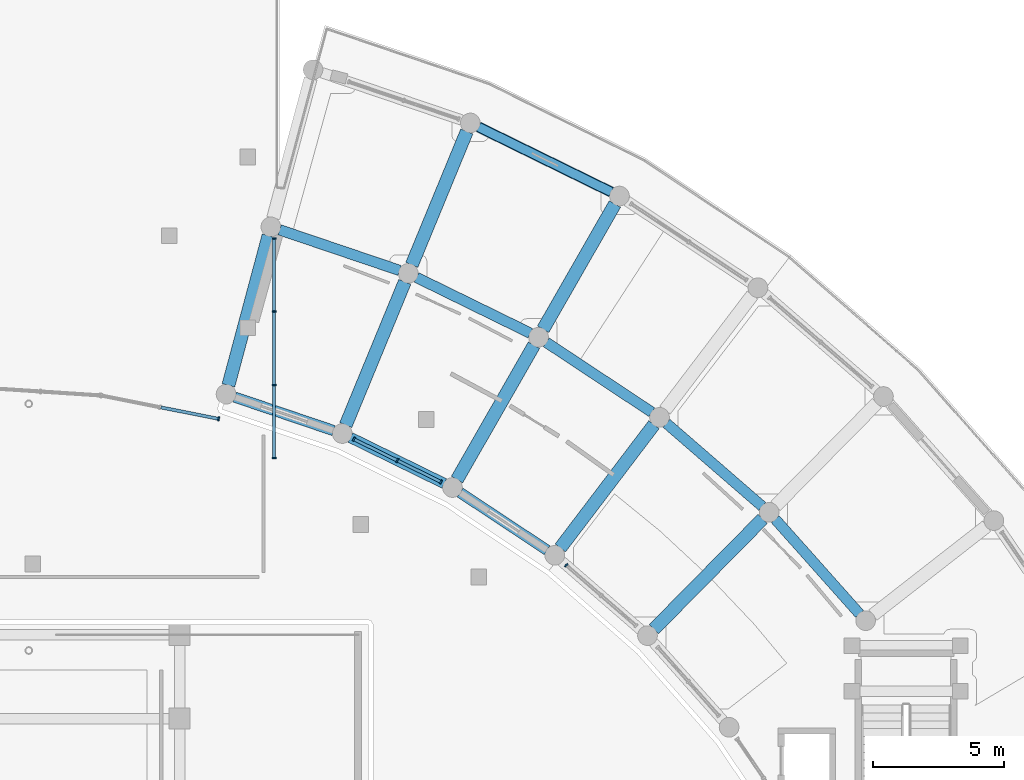
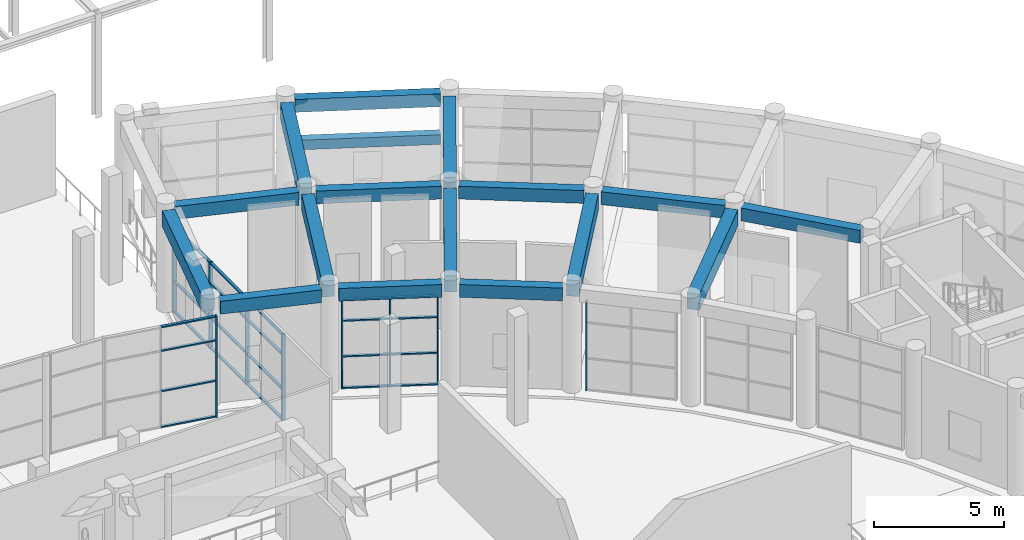
# One storey, part 47 of 99: 33 members, 17 beams, 4 elements without a shape of their own.
"""IFC4 building model written with IfcOpenShell, lengths in metres."""

from ifc_helpers import new_model, si_unit, direction, frame, origin, origin_2d, place, context, subcontext, project, spatial, rectangle, extrude, material, material_profile, profile_set, type_object, element, aggregate, save


model = new_model("IFC4")

# Units and contexts
model_context = context("Model", 3, precision=1e-05, world=origin(), true_north=direction((0.0, 1.0)))
body_context = subcontext(model_context, "Body", "Model", "MODEL_VIEW")
ifc_project = project(units=[si_unit("LENGTHUNIT", "METRE"), si_unit("AREAUNIT", "SQUARE_METRE"), si_unit("VOLUMEUNIT", "CUBIC_METRE"), si_unit("PLANEANGLEUNIT", "RADIAN"), si_unit("MASSUNIT", "GRAM", prefix="KILO")], contexts=[model_context])

# Site, building, storey
site_placement = place(None, origin())
site = spatial("IfcSite", under=ifc_project, at=site_placement, CompositionType="ELEMENT")
building_placement = place(site_placement, origin())
building = spatial("IfcBuilding", under=site, at=building_placement, Name="Saryqyr Civic Hall", CompositionType="ELEMENT")
storey_placement = place(building_placement, origin())
storey = spatial("IfcBuildingStorey", under=building, at=storey_placement, Name="L00", CompositionType="ELEMENT", Elevation=0.0)

# Curtain wall, member
ifc_material_1 = material(Name="Anodised aluminium and triple low-E glass", Category="aluminium")
curtain_wall_type_1 = type_object("IfcCurtainWallType", Name="ENV-CW-STD-11", PredefinedType="NOTDEFINED", material=ifc_material_1)
curtain_wall_1_placement = place(storey_placement, origin())
curtain_wall_1 = element("IfcCurtainWall", 1, at=curtain_wall_1_placement, inside=storey, type_object=curtain_wall_type_1, Name="Curtain wall V6-CWI-L00-06", PredefinedType="NOTDEFINED")
ifc_material_2 = material(Name="Anodised aluminium", Category="aluminium")
ifc_material_profile_1 = material_profile(ifc_material_2, rectangle(XDim=0.06005859375, YDim=0.159912109375, at=origin_2d()), Name="ALU MULLION 60x160")
ifc_profile_set_1 = profile_set([ifc_material_profile_1], Name="Anodised aluminium")
member_type_1 = type_object("IfcMemberType", Name="ENV-CW-MUL-180", PredefinedType="MULLION", material=ifc_profile_set_1)
member_1_placement = place(storey_placement, frame((79.331787109375, 112.449462890625, 0.0), z_axis=(0.0, 0.0, 1.0), x_axis=(-0.755649416541, 0.654976304367, 0.0)))
member_1 = element("IfcMember", 2, at=member_1_placement, type_object=member_type_1, Name="CW-11 mullion 3", PredefinedType="MULLION", context=body_context, shape_type="SweptSolid", body=[
    extrude(rectangle(XDim=0.06005859375, YDim=0.159912109375, at=origin_2d()), origin(), (0.0, 0.0, 1.0), 4.195068359375),
])
aggregate(curtain_wall_1, [member_1])

# Curtain wall, members
curtain_wall_type_2 = type_object("IfcCurtainWallType", Name="ENV-CW-STD-07", PredefinedType="NOTDEFINED", material=ifc_material_1)
curtain_wall_2_placement = place(storey_placement, origin())
curtain_wall_2 = element("IfcCurtainWall", 3, at=curtain_wall_2_placement, inside=storey, type_object=curtain_wall_type_2, Name="Curtain wall V6-CWI-L00-08", PredefinedType="NOTDEFINED")
member_2_placement = place(storey_placement, frame((74.553955078125, 115.626708984375, 0.0), z_axis=(0.0, 0.0, 1.0), x_axis=(-0.897971128379, 0.440054374592, 0.0)))
member_2 = element("IfcMember", 4, at=member_2_placement, type_object=member_type_1, Name="CW-07 mullion 1", PredefinedType="MULLION", context=body_context, shape_type="SweptSolid", body=[
    extrude(rectangle(XDim=0.06005859375, YDim=0.159912109375, at=origin_2d()), origin(), (0.0, 0.0, 1.0), 4.195068359375),
])
member_3_placement = place(storey_placement, frame((72.896728515625, 116.438720703125, 0.0), z_axis=(0.0, 0.0, 1.0), x_axis=(-0.897971128379, 0.440054374592, 0.0)))
member_3 = element("IfcMember", 5, at=member_3_placement, type_object=member_type_1, Name="CW-07 mullion 2", PredefinedType="MULLION", context=body_context, shape_type="SweptSolid", body=[
    extrude(rectangle(XDim=0.06005859375, YDim=0.159912109375, at=origin_2d()), origin(), (0.0, 0.0, 1.0), 4.195068359375),
])
member_4_placement = place(storey_placement, frame((71.23974609375, 117.250732421875, 0.0), z_axis=(0.0, 0.0, 1.0), x_axis=(-0.897971128379, 0.440054374592, 0.0)))
member_4 = element("IfcMember", 6, at=member_4_placement, type_object=member_type_1, Name="CW-07 mullion 3", PredefinedType="MULLION", context=body_context, shape_type="SweptSolid", body=[
    extrude(rectangle(XDim=0.06005859375, YDim=0.159912109375, at=origin_2d()), origin(), (0.0, 0.0, 1.0), 4.195068359375),
])

curtain_wall_type_3 = type_object("IfcCurtainWallType", Name="ENV-CW-STD-66", PredefinedType="NOTDEFINED", material=ifc_material_1)
curtain_wall_3_placement = place(storey_placement, origin())
curtain_wall_3 = element("IfcCurtainWall", 7, at=curtain_wall_3_placement, inside=storey, type_object=curtain_wall_type_3, Name="Curtain wall V2-VESTFLK-NE-L00", PredefinedType="NOTDEFINED")
member_5_placement = place(storey_placement, frame((68.199951171875, 124.896484375, 0.0), z_axis=(0.0, 0.0, 1.0), x_axis=(0.0, -1.0, 0.0)))
member_5 = element("IfcMember", 8, at=member_5_placement, type_object=member_type_1, Name="CW-66 mullion 1", PredefinedType="MULLION", context=body_context, shape_type="SweptSolid", body=[
    extrude(rectangle(XDim=0.06005859375, YDim=0.159912109375, at=origin_2d()), origin(), (0.0, 0.0, 1.0), 4.044921875),
])
member_6_placement = place(storey_placement, frame((68.199951171875, 122.11767578125, 0.0), z_axis=(0.0, 0.0, 1.0), x_axis=(0.0, -1.0, 0.0)))
member_6 = element("IfcMember", 9, at=member_6_placement, type_object=member_type_1, Name="CW-66 mullion 2", PredefinedType="MULLION", context=body_context, shape_type="SweptSolid", body=[
    extrude(rectangle(XDim=0.06005859375, YDim=0.159912109375, at=origin_2d()), origin(), (0.0, 0.0, 1.0), 4.044921875),
])
member_7_placement = place(storey_placement, frame((68.199951171875, 119.308837890625, 0.0), z_axis=(0.0, 0.0, 1.0), x_axis=(0.0, -1.0, 0.0)))
member_7 = element("IfcMember", 10, at=member_7_placement, type_object=member_type_1, Name="CW-66 mullion 3", PredefinedType="MULLION", context=body_context, shape_type="SweptSolid", body=[
    extrude(rectangle(XDim=0.06005859375, YDim=0.159912109375, at=origin_2d()), origin(), (0.0, 0.0, 1.0), 4.044921875),
])
member_8_placement = place(storey_placement, frame((68.199951171875, 116.530029296875, 0.0), z_axis=(0.0, 0.0, 1.0), x_axis=(0.0, -1.0, 0.0)))
member_8 = element("IfcMember", 11, at=member_8_placement, type_object=member_type_1, Name="CW-66 mullion 4", PredefinedType="MULLION", context=body_context, shape_type="SweptSolid", body=[
    extrude(rectangle(XDim=0.06005859375, YDim=0.159912109375, at=origin_2d()), origin(), (0.0, 0.0, 1.0), 4.044921875),
])

# Curtain wall, member
curtain_wall_type_4 = type_object("IfcCurtainWallType", Name="ENV-CW-STD-67", PredefinedType="NOTDEFINED", material=ifc_material_1)
curtain_wall_4_placement = place(storey_placement, origin())
curtain_wall_4 = element("IfcCurtainWall", 12, at=curtain_wall_4_placement, inside=storey, type_object=curtain_wall_type_4, Name="Curtain wall V2-PERIM-CW-L00-10", PredefinedType="NOTDEFINED")
member_9_placement = place(storey_placement, frame((66.086181640625, 118.025634765625, 0.0), z_axis=(0.0, 0.0, 1.0), x_axis=(0.980784679507, -0.195093342902, 0.0)))
member_9 = element("IfcMember", 13, at=member_9_placement, type_object=member_type_1, Name="CW-67 mullion 3", PredefinedType="MULLION", context=body_context, shape_type="SweptSolid", body=[
    extrude(rectangle(XDim=0.06005859375, YDim=0.159912109375, at=origin_2d()), origin(), (0.0, 0.0, 1.0), 4.75),
])

# Member
ifc_material_profile_2 = material_profile(ifc_material_2, rectangle(XDim=0.1201171875, YDim=0.06005859375, at=origin_2d()), Name="ALU TRANSOM 120x60")
ifc_profile_set_2 = profile_set([ifc_material_profile_2], Name="Anodised aluminium")
member_type_2 = type_object("IfcMemberType", Name="ENV-CW-TRN-150", PredefinedType="USERDEFINED", material=ifc_profile_set_2)
member_10_placement = place(storey_placement, frame((74.527099609375, 115.639892578125, 0.030029296875), z_axis=(-0.897981116185, 0.440033992977, 0.0), x_axis=(-0.440033992977, -0.897981116185, 0.0)))
member_10 = element("IfcMember", 14, at=member_10_placement, type_object=member_type_2, Name="CW-07 transom 1.1", ObjectType="TRANSOM", PredefinedType="USERDEFINED", context=body_context, shape_type="SweptSolid", body=[
    extrude(rectangle(XDim=0.1201171875, YDim=0.06005859375, at=origin_2d()), origin(), (0.0, 0.0, 1.0), 1.785400390625),
])

member_11_placement = place(storey_placement, frame((74.527099609375, 115.639892578125, 1.510009765625), z_axis=(-0.897981116185, 0.440033992977, 0.0), x_axis=(-0.440033992977, -0.897981116185, 0.0)))
member_11 = element("IfcMember", 15, at=member_11_placement, type_object=member_type_2, Name="CW-07 transom 1.2", ObjectType="TRANSOM", PredefinedType="USERDEFINED", context=body_context, shape_type="SweptSolid", body=[
    extrude(rectangle(XDim=0.1201171875, YDim=0.06005859375, at=origin_2d()), origin(), (0.0, 0.0, 1.0), 1.785400390625),
])

member_12_placement = place(storey_placement, frame((74.527099609375, 115.639892578125, 3.18798828125), z_axis=(-0.897981116185, 0.440033992977, 0.0), x_axis=(-0.440033992977, -0.897981116185, 0.0)))
member_12 = element("IfcMember", 16, at=member_12_placement, type_object=member_type_2, Name="CW-07 transom 1.3", ObjectType="TRANSOM", PredefinedType="USERDEFINED", context=body_context, shape_type="SweptSolid", body=[
    extrude(rectangle(XDim=0.1201171875, YDim=0.06005859375, at=origin_2d()), origin(), (0.0, 0.0, 1.0), 1.785400390625),
])

member_13_placement = place(storey_placement, frame((74.527099609375, 115.639892578125, 4.1650390625), z_axis=(-0.897981116185, 0.440033992977, 0.0), x_axis=(-0.440033992977, -0.897981116185, 0.0)))
member_13 = element("IfcMember", 17, at=member_13_placement, type_object=member_type_2, Name="CW-07 transom 1.4", ObjectType="TRANSOM", PredefinedType="USERDEFINED", context=body_context, shape_type="SweptSolid", body=[
    extrude(rectangle(XDim=0.1201171875, YDim=0.06005859375, at=origin_2d()), origin(), (0.0, 0.0, 1.0), 1.785400390625),
])

member_14_placement = place(storey_placement, frame((72.869873046875, 116.451904296875, 0.030029296875), z_axis=(-0.897981116185, 0.440033992977, 0.0), x_axis=(-0.440033992977, -0.897981116185, 0.0)))
member_14 = element("IfcMember", 18, at=member_14_placement, type_object=member_type_2, Name="CW-07 transom 2.1", ObjectType="TRANSOM", PredefinedType="USERDEFINED", context=body_context, shape_type="SweptSolid", body=[
    extrude(rectangle(XDim=0.1201171875, YDim=0.06005859375, at=origin_2d()), origin(), (0.0, 0.0, 1.0), 1.785400390625),
])

member_15_placement = place(storey_placement, frame((72.869873046875, 116.451904296875, 1.510009765625), z_axis=(-0.897981116185, 0.440033992977, 0.0), x_axis=(-0.440033992977, -0.897981116185, 0.0)))
member_15 = element("IfcMember", 19, at=member_15_placement, type_object=member_type_2, Name="CW-07 transom 2.2", ObjectType="TRANSOM", PredefinedType="USERDEFINED", context=body_context, shape_type="SweptSolid", body=[
    extrude(rectangle(XDim=0.1201171875, YDim=0.06005859375, at=origin_2d()), origin(), (0.0, 0.0, 1.0), 1.785400390625),
])

member_16_placement = place(storey_placement, frame((72.869873046875, 116.451904296875, 3.18798828125), z_axis=(-0.897981116185, 0.440033992977, 0.0), x_axis=(-0.440033992977, -0.897981116185, 0.0)))
member_16 = element("IfcMember", 20, at=member_16_placement, type_object=member_type_2, Name="CW-07 transom 2.3", ObjectType="TRANSOM", PredefinedType="USERDEFINED", context=body_context, shape_type="SweptSolid", body=[
    extrude(rectangle(XDim=0.1201171875, YDim=0.06005859375, at=origin_2d()), origin(), (0.0, 0.0, 1.0), 1.785400390625),
])

member_17_placement = place(storey_placement, frame((72.869873046875, 116.451904296875, 4.1650390625), z_axis=(-0.897981116185, 0.440033992977, 0.0), x_axis=(-0.440033992977, -0.897981116185, 0.0)))
member_17 = element("IfcMember", 21, at=member_17_placement, type_object=member_type_2, Name="CW-07 transom 2.4", ObjectType="TRANSOM", PredefinedType="USERDEFINED", context=body_context, shape_type="SweptSolid", body=[
    extrude(rectangle(XDim=0.1201171875, YDim=0.06005859375, at=origin_2d()), origin(), (0.0, 0.0, 1.0), 1.785400390625),
])

aggregate(curtain_wall_2, [member_2, member_3, member_4, member_10, member_11, member_12, member_13, member_14, member_15, member_16, member_17])

member_18_placement = place(storey_placement, frame((68.199951171875, 124.86669921875, 0.030029296875), z_axis=(0.0, -1.0, 0.0), x_axis=(1.0, 0.0, 0.0)))
member_18 = element("IfcMember", 22, at=member_18_placement, type_object=member_type_2, Name="CW-66 transom 1.1", ObjectType="TRANSOM", PredefinedType="USERDEFINED", context=body_context, shape_type="SweptSolid", body=[
    extrude(rectangle(XDim=0.1201171875, YDim=0.06005859375, at=origin_2d()), origin(), (0.0, 0.0, 1.0), 2.718994140625),
])

member_19_placement = place(storey_placement, frame((68.199951171875, 124.86669921875, 1.4560546875), z_axis=(0.0, -1.0, 0.0), x_axis=(1.0, 0.0, 0.0)))
member_19 = element("IfcMember", 23, at=member_19_placement, type_object=member_type_2, Name="CW-66 transom 1.2", ObjectType="TRANSOM", PredefinedType="USERDEFINED", context=body_context, shape_type="SweptSolid", body=[
    extrude(rectangle(XDim=0.1201171875, YDim=0.06005859375, at=origin_2d()), origin(), (0.0, 0.0, 1.0), 2.718994140625),
])

member_20_placement = place(storey_placement, frame((68.199951171875, 124.86669921875, 3.073974609375), z_axis=(0.0, -1.0, 0.0), x_axis=(1.0, 0.0, 0.0)))
member_20 = element("IfcMember", 24, at=member_20_placement, type_object=member_type_2, Name="CW-66 transom 1.3", ObjectType="TRANSOM", PredefinedType="USERDEFINED", context=body_context, shape_type="SweptSolid", body=[
    extrude(rectangle(XDim=0.1201171875, YDim=0.06005859375, at=origin_2d()), origin(), (0.0, 0.0, 1.0), 2.718994140625),
])

member_21_placement = place(storey_placement, frame((68.199951171875, 124.86669921875, 4.014892578125), z_axis=(0.0, -1.0, 0.0), x_axis=(1.0, 0.0, 0.0)))
member_21 = element("IfcMember", 25, at=member_21_placement, type_object=member_type_2, Name="CW-66 transom 1.4", ObjectType="TRANSOM", PredefinedType="USERDEFINED", context=body_context, shape_type="SweptSolid", body=[
    extrude(rectangle(XDim=0.1201171875, YDim=0.06005859375, at=origin_2d()), origin(), (0.0, 0.0, 1.0), 2.718994140625),
])

member_22_placement = place(storey_placement, frame((68.199951171875, 122.087646484375, 0.030029296875), z_axis=(0.0, -1.0, 0.0), x_axis=(1.0, 0.0, 0.0)))
member_22 = element("IfcMember", 26, at=member_22_placement, type_object=member_type_2, Name="CW-66 transom 2.1", ObjectType="TRANSOM", PredefinedType="USERDEFINED", context=body_context, shape_type="SweptSolid", body=[
    extrude(rectangle(XDim=0.1201171875, YDim=0.06005859375, at=origin_2d()), origin(), (0.0, 0.0, 1.0), 2.748779296875),
])

member_23_placement = place(storey_placement, frame((68.199951171875, 122.087646484375, 1.4560546875), z_axis=(0.0, -1.0, 0.0), x_axis=(1.0, 0.0, 0.0)))
member_23 = element("IfcMember", 27, at=member_23_placement, type_object=member_type_2, Name="CW-66 transom 2.2", ObjectType="TRANSOM", PredefinedType="USERDEFINED", context=body_context, shape_type="SweptSolid", body=[
    extrude(rectangle(XDim=0.1201171875, YDim=0.06005859375, at=origin_2d()), origin(), (0.0, 0.0, 1.0), 2.748779296875),
])

member_24_placement = place(storey_placement, frame((68.199951171875, 122.087646484375, 3.073974609375), z_axis=(0.0, -1.0, 0.0), x_axis=(1.0, 0.0, 0.0)))
member_24 = element("IfcMember", 28, at=member_24_placement, type_object=member_type_2, Name="CW-66 transom 2.3", ObjectType="TRANSOM", PredefinedType="USERDEFINED", context=body_context, shape_type="SweptSolid", body=[
    extrude(rectangle(XDim=0.1201171875, YDim=0.06005859375, at=origin_2d()), origin(), (0.0, 0.0, 1.0), 2.748779296875),
])

member_25_placement = place(storey_placement, frame((68.199951171875, 122.087646484375, 4.014892578125), z_axis=(0.0, -1.0, 0.0), x_axis=(1.0, 0.0, 0.0)))
member_25 = element("IfcMember", 29, at=member_25_placement, type_object=member_type_2, Name="CW-66 transom 2.4", ObjectType="TRANSOM", PredefinedType="USERDEFINED", context=body_context, shape_type="SweptSolid", body=[
    extrude(rectangle(XDim=0.1201171875, YDim=0.06005859375, at=origin_2d()), origin(), (0.0, 0.0, 1.0), 2.748779296875),
])

member_26_placement = place(storey_placement, frame((68.199951171875, 119.27880859375, 0.030029296875), z_axis=(0.0, -1.0, 0.0), x_axis=(1.0, 0.0, 0.0)))
member_26 = element("IfcMember", 30, at=member_26_placement, type_object=member_type_2, Name="CW-66 transom 3.1", ObjectType="TRANSOM", PredefinedType="USERDEFINED", context=body_context, shape_type="SweptSolid", body=[
    extrude(rectangle(XDim=0.1201171875, YDim=0.06005859375, at=origin_2d()), origin(), (0.0, 0.0, 1.0), 2.71875),
])

member_27_placement = place(storey_placement, frame((68.199951171875, 119.27880859375, 1.4560546875), z_axis=(0.0, -1.0, 0.0), x_axis=(1.0, 0.0, 0.0)))
member_27 = element("IfcMember", 31, at=member_27_placement, type_object=member_type_2, Name="CW-66 transom 3.2", ObjectType="TRANSOM", PredefinedType="USERDEFINED", context=body_context, shape_type="SweptSolid", body=[
    extrude(rectangle(XDim=0.1201171875, YDim=0.06005859375, at=origin_2d()), origin(), (0.0, 0.0, 1.0), 2.71875),
])

member_28_placement = place(storey_placement, frame((68.199951171875, 119.27880859375, 3.073974609375), z_axis=(0.0, -1.0, 0.0), x_axis=(1.0, 0.0, 0.0)))
member_28 = element("IfcMember", 32, at=member_28_placement, type_object=member_type_2, Name="CW-66 transom 3.3", ObjectType="TRANSOM", PredefinedType="USERDEFINED", context=body_context, shape_type="SweptSolid", body=[
    extrude(rectangle(XDim=0.1201171875, YDim=0.06005859375, at=origin_2d()), origin(), (0.0, 0.0, 1.0), 2.71875),
])

member_29_placement = place(storey_placement, frame((68.199951171875, 119.27880859375, 4.014892578125), z_axis=(0.0, -1.0, 0.0), x_axis=(1.0, 0.0, 0.0)))
member_29 = element("IfcMember", 33, at=member_29_placement, type_object=member_type_2, Name="CW-66 transom 3.4", ObjectType="TRANSOM", PredefinedType="USERDEFINED", context=body_context, shape_type="SweptSolid", body=[
    extrude(rectangle(XDim=0.1201171875, YDim=0.06005859375, at=origin_2d()), origin(), (0.0, 0.0, 1.0), 2.71875),
])

aggregate(curtain_wall_3, [member_5, member_6, member_7, member_8, member_18, member_19, member_20, member_21, member_22, member_23, member_24, member_25, member_26, member_27, member_28, member_29])

member_30_placement = place(storey_placement, frame((63.8857421875, 118.46337890625, 0.030029296875), z_axis=(0.980779555737, -0.195119099651, 0.0), x_axis=(0.195119099651, 0.980779555737, 0.0)))
member_30 = element("IfcMember", 34, at=member_30_placement, type_object=member_type_2, Name="CW-67 transom 2.1", ObjectType="TRANSOM", PredefinedType="USERDEFINED", context=body_context, shape_type="SweptSolid", body=[
    extrude(rectangle(XDim=0.1201171875, YDim=0.06005859375, at=origin_2d()), origin(), (0.0, 0.0, 1.0), 2.21337890625),
])

member_31_placement = place(storey_placement, frame((63.8857421875, 118.46337890625, 1.7099609375), z_axis=(0.980779555737, -0.195119099651, 0.0), x_axis=(0.195119099651, 0.980779555737, 0.0)))
member_31 = element("IfcMember", 35, at=member_31_placement, type_object=member_type_2, Name="CW-67 transom 2.2", ObjectType="TRANSOM", PredefinedType="USERDEFINED", context=body_context, shape_type="SweptSolid", body=[
    extrude(rectangle(XDim=0.1201171875, YDim=0.06005859375, at=origin_2d()), origin(), (0.0, 0.0, 1.0), 2.21337890625),
])

member_32_placement = place(storey_placement, frame((63.8857421875, 118.46337890625, 3.610107421875), z_axis=(0.980779555737, -0.195119099651, 0.0), x_axis=(0.195119099651, 0.980779555737, 0.0)))
member_32 = element("IfcMember", 36, at=member_32_placement, type_object=member_type_2, Name="CW-67 transom 2.3", ObjectType="TRANSOM", PredefinedType="USERDEFINED", context=body_context, shape_type="SweptSolid", body=[
    extrude(rectangle(XDim=0.1201171875, YDim=0.06005859375, at=origin_2d()), origin(), (0.0, 0.0, 1.0), 2.21337890625),
])

member_33_placement = place(storey_placement, frame((63.8857421875, 118.46337890625, 4.719970703125), z_axis=(0.980779555737, -0.195119099651, 0.0), x_axis=(0.195119099651, 0.980779555737, 0.0)))
member_33 = element("IfcMember", 37, at=member_33_placement, type_object=member_type_2, Name="CW-67 transom 2.4", ObjectType="TRANSOM", PredefinedType="USERDEFINED", context=body_context, shape_type="SweptSolid", body=[
    extrude(rectangle(XDim=0.1201171875, YDim=0.06005859375, at=origin_2d()), origin(), (0.0, 0.0, 1.0), 2.21337890625),
])

aggregate(curtain_wall_4, [member_9, member_30, member_31, member_32, member_33])

# Beams
ifc_material_3 = material(Name="Concrete C35/45", Category="concrete")
ifc_material_profile_3 = material_profile(ifc_material_3, rectangle(XDim=0.39990234375, YDim=0.60009765625, at=origin_2d()), Name="RC 400x600")
ifc_profile_set_3 = profile_set([ifc_material_profile_3], Name="Concrete C35/45")
beam_type_1 = type_object("IfcBeamType", Name="STR-BM-RC400x600", PredefinedType="BEAM", material=ifc_profile_set_3)
beam_1_placement = place(storey_placement, frame((90.505615234375, 110.596923828125, 4.52001953125), z_axis=(-0.664931763448, 0.746904110284, 0.0), x_axis=(-0.746904110284, -0.664931763448, 0.0)))
element("IfcBeam", 38, at=beam_1_placement, inside=storey, type_object=beam_type_1, Name="Beam V6-CBM-MID05-L00", PredefinedType="BEAM", context=body_context, shape_type="SweptSolid", body=[
    extrude(rectangle(XDim=0.39990234375, YDim=0.60009765625, at=origin_2d()), origin(), (0.0, 0.0, 1.0), 4.827880859375),
])
for number, where, z_axis, x_axis, name in (
    (39, (86.79833984375, 114.693359375, 4.52001953125), (-0.755632347986, 0.654995995925, 0.0), (-0.654995995925, -0.755632347986, 0.0), "Beam V6-CBM-MID06-L00"),
    (40, (82.593994140625, 118.27783203125, 4.52001953125), (-0.833757954483, 0.552130123555, 0.0), (-0.552130123555, -0.833757954483, 0.0), "Beam V6-CBM-MID07-L00"),
    (41, (77.962646484375, 121.29052734375, 4.52001953125), (-0.897959126553, 0.440078864568, 0.0), (-0.440078864568, -0.897959126553, 0.0), "Beam V6-CBM-MID08-L00"),
    (42, (72.981689453125, 123.681396484375, 4.52001953125), (-0.947191159228, 0.320669468268, 0.0), (-0.320669468268, -0.947191159228, 0.0), "Beam V6-CBM-MID09-L00"),
):
    element("IfcBeam", number, at=place(storey_placement, frame(where, z_axis=z_axis, x_axis=x_axis)), inside=storey, type_object=beam_type_1, Name=name, PredefinedType="BEAM", context=body_context, shape_type="SweptSolid", body=[
        extrude(rectangle(XDim=0.39990234375, YDim=0.60009765625, at=origin_2d()), origin(), (0.0, 0.0, 1.0), 4.82763671875),
    ])
ifc_material_profile_4 = material_profile(ifc_material_3, rectangle(XDim=0.39990234375, YDim=0.60009765625, at=origin_2d()), Name="RC 400x600")
ifc_profile_set_4 = profile_set([ifc_material_profile_4], Name="Concrete C35/45")
beam_type_2 = type_object("IfcBeamType", Name="STR-BM-RC400x600-EXT", PredefinedType="BEAM", material=ifc_profile_set_4)
beam_2_placement = place(storey_placement, frame((78.602294921875, 113.02197265625, 4.52001953125), z_axis=(-0.833784627488, 0.5520898432, 0.0), x_axis=(-0.5520898432, -0.833784627488, 0.0)))
element("IfcBeam", 43, at=beam_2_placement, inside=storey, type_object=beam_type_2, Name="Beam V6-CBM-IN07-L00", PredefinedType="BEAM", context=body_context, shape_type="SweptSolid", body=[
    extrude(rectangle(XDim=0.39990234375, YDim=0.60009765625, at=origin_2d()), origin(), (0.0, 0.0, 1.0), 3.9755859375),
])
beam_3_placement = place(storey_placement, frame((74.681640625, 115.56396484375, 4.52001953125), z_axis=(-0.897948801226, 0.440099932261, 0.0), x_axis=(-0.440099932261, -0.897948801226, 0.0)))
element("IfcBeam", 44, at=beam_3_placement, inside=storey, type_object=beam_type_2, Name="Beam V6-CBM-IN08-L00", PredefinedType="BEAM", context=body_context, shape_type="SweptSolid", body=[
    extrude(rectangle(XDim=0.39990234375, YDim=0.60009765625, at=origin_2d()), origin(), (0.0, 0.0, 1.0), 3.975341796875),
])
beam_4_placement = place(storey_placement, frame((81.044921875, 126.67041015625, 4.52001953125), z_axis=(-0.897972818896, 0.44005092492, 0.0), x_axis=(-0.44005092492, -0.897972818896, 0.0)))
element("IfcBeam", 45, at=beam_4_placement, inside=storey, type_object=beam_type_2, Name="Beam V6-CBM-OUT08-L00", PredefinedType="BEAM", context=body_context, shape_type="SweptSolid", body=[
    extrude(rectangle(XDim=0.39990234375, YDim=0.60009765625, at=origin_2d()), origin(), (0.0, 0.0, 1.0), 5.62841796875),
])
beam_5_placement = place(storey_placement, frame((70.46630859375, 117.57958984375, 4.52001953125), z_axis=(-0.947205353495, 0.320627538291, 0.0), x_axis=(-0.320627538291, -0.947205353495, 0.0)))
element("IfcBeam", 46, at=beam_5_placement, inside=storey, type_object=beam_type_2, Name="Beam V6-CBM-IN09-L00", PredefinedType="BEAM", context=body_context, shape_type="SweptSolid", body=[
    extrude(rectangle(XDim=0.39990234375, YDim=0.60009765625, at=origin_2d()), origin(), (0.0, 0.0, 1.0), 3.9755859375),
])
ifc_material_4 = material(Name="Concrete C40/50", Category="concrete")
ifc_material_profile_5 = material_profile(ifc_material_4, rectangle(XDim=0.5, YDim=0.75, at=origin_2d()), Name="RC 500x750")
ifc_profile_set_5 = profile_set([ifc_material_profile_5], Name="Concrete C40/50")
beam_type_3 = type_object("IfcBeamType", Name="STR-BM-RC500x750", PredefinedType="BEAM", material=ifc_profile_set_5)
beam_6_placement = place(storey_placement, frame((82.672607421875, 110.015625, 4.445068359375), z_axis=(0.702415447899, 0.711767194069, 0.0), x_axis=(-0.711767194069, 0.702415447899, 0.0)))
element("IfcBeam", 47, at=beam_6_placement, inside=storey, type_object=beam_type_3, Name="Beam V6-RBM-A06-L00", PredefinedType="BEAM", context=body_context, shape_type="SweptSolid", body=[
    extrude(rectangle(XDim=0.5, YDim=0.75, at=origin_2d()), origin(), (0.0, 0.0, 1.0), 5.900146484375),
])
beam_7_placement = place(storey_placement, frame((79.105712890625, 113.107421875, 4.445068359375), z_axis=(0.604815687785, 0.796365483813, 0.0), x_axis=(-0.796365483813, 0.604815687785, 0.0)))
element("IfcBeam", 48, at=beam_7_placement, inside=storey, type_object=beam_type_3, Name="Beam V6-RBM-A07-L00", PredefinedType="BEAM", context=body_context, shape_type="SweptSolid", body=[
    extrude(rectangle(XDim=0.5, YDim=0.75, at=origin_2d()), origin(), (0.0, 0.0, 1.0), 5.89990234375),
])
beam_8_placement = place(storey_placement, frame((75.169921875, 115.713623046875, 4.445068359375), z_axis=(0.497127893874, 0.867677277064, 0.0), x_axis=(-0.867677277064, 0.497127893874, 0.0)))
element("IfcBeam", 49, at=beam_8_placement, inside=storey, type_object=beam_type_3, Name="Beam V6-RBM-A08-L00", PredefinedType="BEAM", context=body_context, shape_type="SweptSolid", body=[
    extrude(rectangle(XDim=0.5, YDim=0.75, at=origin_2d()), origin(), (0.0, 0.0, 1.0), 5.900146484375),
])
beam_9_placement = place(storey_placement, frame((78.450927734375, 121.440185546875, 4.445068359375), z_axis=(0.497099460654, 0.867693567003, 0.0), x_axis=(-0.867693567003, 0.497099460654, 0.0)))
element("IfcBeam", 50, at=beam_9_placement, inside=storey, type_object=beam_type_3, Name="Beam V6-RBM-B08-L00", PredefinedType="BEAM", context=body_context, shape_type="SweptSolid", body=[
    extrude(rectangle(XDim=0.5, YDim=0.75, at=origin_2d()), origin(), (0.0, 0.0, 1.0), 5.500244140625),
])
beam_10_placement = place(storey_placement, frame((70.93115234375, 117.791015625, 4.445068359375), z_axis=(0.381151449436, 0.924512613539, 0.0), x_axis=(-0.924512613539, 0.381151449436, 0.0)))
element("IfcBeam", 51, at=beam_10_placement, inside=storey, type_object=beam_type_3, Name="Beam V6-RBM-A09-L00", PredefinedType="BEAM", context=body_context, shape_type="SweptSolid", body=[
    extrude(rectangle(XDim=0.5, YDim=0.75, at=origin_2d()), origin(), (0.0, 0.0, 1.0), 5.89990234375),
])
beam_11_placement = place(storey_placement, frame((73.44677734375, 123.892578125, 4.445068359375), z_axis=(0.381120379949, 0.924525422034, 0.0), x_axis=(-0.924525422034, 0.381120379949, 0.0)))
element("IfcBeam", 52, at=beam_11_placement, inside=storey, type_object=beam_type_3, Name="Beam V6-RBM-B09-L00", PredefinedType="BEAM", context=body_context, shape_type="SweptSolid", body=[
    extrude(rectangle(XDim=0.5, YDim=0.75, at=origin_2d()), origin(), (0.0, 0.0, 1.0), 5.5),
])
beam_12_placement = place(storey_placement, frame((66.459716796875, 119.3046875, 4.445068359375), z_axis=(0.258839506001, 0.965920343576, 0.0), x_axis=(-0.965920343576, 0.258839506001, 0.0)))
element("IfcBeam", 53, at=beam_12_placement, inside=storey, type_object=beam_type_3, Name="Beam V6-RBM-A10-L00", PredefinedType="BEAM", context=body_context, shape_type="SweptSolid", body=[
    extrude(rectangle(XDim=0.5, YDim=0.75, at=origin_2d()), origin(), (0.0, 0.0, 1.0), 5.89990234375),
])
ifc_material_5 = material(Name="Precast concrete C40/50", Category="concrete")
ifc_material_profile_6 = material_profile(ifc_material_5, rectangle(XDim=0.35009765625, YDim=0.449951171875, at=origin_2d()), Name="RC 350x450")
ifc_profile_set_6 = profile_set([ifc_material_profile_6], Name="Precast concrete C40/50")
beam_type_4 = type_object("IfcBeamType", Name="STR-LIN-RC350x450", PredefinedType="LINTEL", material=ifc_profile_set_6)
beam_13_placement = place(storey_placement, frame((81.044921875, 126.67041015625, 2.655029296875), z_axis=(-0.897972818896, 0.44005092492, 0.0), x_axis=(-0.44005092492, -0.897972818896, 0.0)))
element("IfcBeam", 54, at=beam_13_placement, inside=storey, type_object=beam_type_4, Name="Beam V6-LIN-08-L00", PredefinedType="LINTEL", context=body_context, shape_type="SweptSolid", body=[
    extrude(rectangle(XDim=0.35009765625, YDim=0.449951171875, at=origin_2d()), origin(), (0.0, 0.0, 1.0), 5.62841796875),
])

save(model, "model.ifc")
